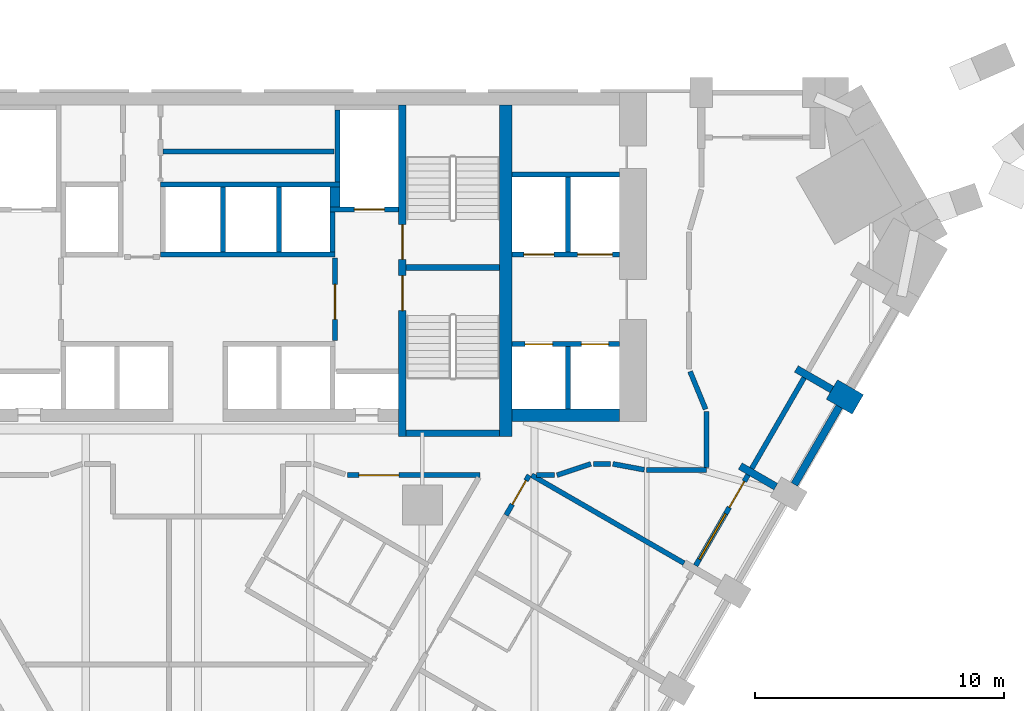
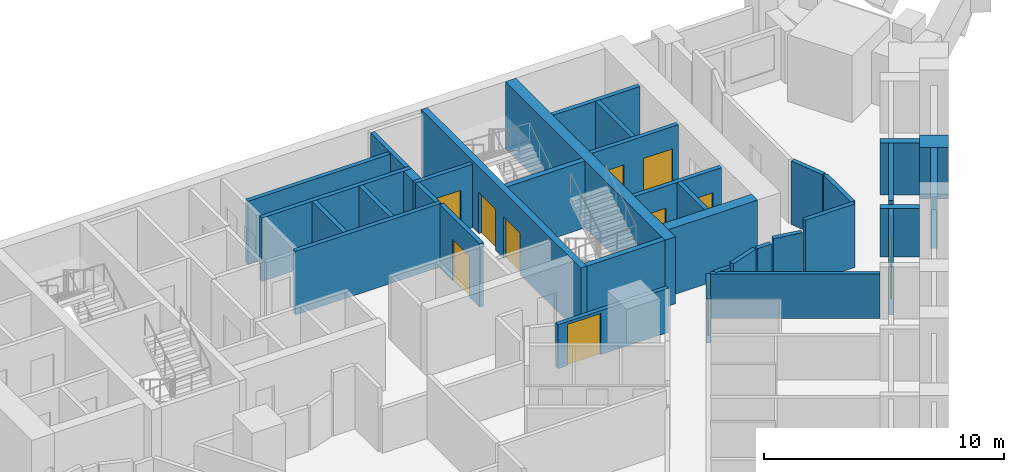
# One storey, part 9 of 12: 36 walls, 11 doors, 1 window, 12 openings.
"""IFC4 building model written with IfcOpenShell, lengths in metres."""

from ifc_helpers import new_model, si_unit, direction, frame, frame_2d, origin, place, context, subcontext, project, spatial, rectangle, extrude, material, layer, layer_set, type_object, element, fill, save


model = new_model("IFC4")

# Units and contexts
model_context = context("Model", 3, precision=1e-05, world=origin(), true_north=direction((0.0, 1.0)))
body_context = subcontext(model_context, "Body", "Model", "MODEL_VIEW")
ifc_project = project(units=[si_unit("LENGTHUNIT", "METRE"), si_unit("AREAUNIT", "SQUARE_METRE"), si_unit("VOLUMEUNIT", "CUBIC_METRE"), si_unit("PLANEANGLEUNIT", "RADIAN"), si_unit("MASSUNIT", "GRAM", prefix="KILO")], contexts=[model_context])

# Site, building, storey
site_placement = place(None, origin())
site = spatial("IfcSite", under=ifc_project, at=site_placement, CompositionType="ELEMENT")
building_placement = place(site_placement, origin())
building = spatial("IfcBuilding", under=site, at=building_placement, Name="Calabash Gate Tower", CompositionType="ELEMENT")
storey_placement = place(building_placement, frame((0.0, 0.0, 83.39990234375)))
storey = spatial("IfcBuildingStorey", under=building, at=storey_placement, Name="L17", CompositionType="ELEMENT", Elevation=83.39990234375)

# Walls
ifc_material_1 = material(Name="Terracotta brick masonry, exposed face", Category="masonry")
ifc_layer_1 = layer(ifc_material_1, 1.199951171875)
ifc_layer_set_1 = layer_set([ifc_layer_1], Name="Brick end wall 1200")
wall_type_1 = type_object("IfcWallType", Name="Brick end wall 1200", PredefinedType="SOLIDWALL", material=ifc_layer_set_1)
wall_1_placement = place(storey_placement, frame((26.467041015625, 6.537353515625, 0.0), z_axis=(0.0, 0.0, 1.0), x_axis=(-0.866043267704, 0.499969057507, 0.0)))
element("IfcWall", 1, at=wall_1_placement, inside=storey, type_object=wall_type_1, Name="Brick pier S04 SE2.9", PredefinedType="SOLIDWALL", context=body_context, shape_type="SweptSolid", body=[
    extrude(rectangle(XDim=1.19970703125, YDim=0.89990234375, at=frame_2d((0.599853515625, 0.0))), origin(), (0.0, 0.0, 1.0), 2.630126953125),
])
ifc_material_2 = material(Name="Terracotta brick masonry, exposed face", Category="masonry")
ifc_layer_2 = layer(ifc_material_2, 0.300048828125)
ifc_layer_set_2 = layer_set([ifc_layer_2], Name="Brick infill panel wall 300")
wall_type_2 = type_object("IfcWallType", Name="Brick infill panel wall 300", PredefinedType="SOLIDWALL", material=ifc_layer_set_2)
wall_2_placement = place(storey_placement, frame((23.92236328125, 3.329833984375, 0.0), z_axis=(0.0, 0.0, 1.0), x_axis=(0.500012057535, 0.866018442252, 0.0)))
element("IfcWall", 2, at=wall_2_placement, inside=storey, type_object=wall_type_2, Name="Brick panel S04 SE2.9", PredefinedType="SOLIDWALL", context=body_context, shape_type="SweptSolid", body=[
    extrude(rectangle(XDim=3.60009765625, YDim=0.300048828125, at=frame_2d((1.800048828125, 0.0))), origin(), (0.0, 0.0, 1.0), 2.630126953125),
])
ifc_material_3 = material(Name="Terracotta brick masonry, exposed face", Category="masonry")
ifc_layer_3 = layer(ifc_material_3, 0.300048828125)
ifc_layer_set_3 = layer_set([ifc_layer_3], Name="Brick loggia cheek wall 300")
wall_type_3 = type_object("IfcWallType", Name="Brick loggia cheek wall 300", PredefinedType="SOLIDWALL", material=ifc_layer_set_3)
wall_3_placement = place(storey_placement, frame((23.177490234375, 3.240234375, 0.0), z_axis=(0.0, 0.0, 1.0), x_axis=(-0.865966208357, 0.500102515474, 0.0)))
element("IfcWall", 3, at=wall_3_placement, inside=storey, type_object=wall_type_3, Name="Loggia cheek S04 SE2.8", PredefinedType="SOLIDWALL", context=body_context, shape_type="SweptSolid", body=[
    extrude(rectangle(XDim=1.649658203125, YDim=0.300048828125, at=frame_2d((0.82470703125, 0.0))), origin(), (0.0, 0.0, 1.0), 2.4501953125),
])
wall_4_placement = place(storey_placement, frame((25.427978515625, 7.13720703125, 0.0), z_axis=(0.0, 0.0, 1.0), x_axis=(-0.866040211805, 0.499974350878, 0.0)))
element("IfcWall", 4, at=wall_4_placement, inside=storey, type_object=wall_type_3, Name="Loggia cheek S04 SE2.9", PredefinedType="SOLIDWALL", context=body_context, shape_type="SweptSolid", body=[
    extrude(rectangle(XDim=1.64990234375, YDim=0.300048828125, at=frame_2d((0.824951171875, 0.0))), origin(), (0.0, 0.0, 1.0), 2.650146484375),
])
ifc_material_4 = material(Name="Concrete C80/95", Category="concrete")
ifc_layer_4 = layer(ifc_material_4, 0.25)
ifc_layer_set_4 = layer_set([ifc_layer_4], Name="Core wall 250 Concrete C80/95")
wall_type_4 = type_object("IfcWallType", Name="Core wall 250 Concrete C80/95", PredefinedType="SHEAR", material=ifc_layer_set_4)
for number, where, z_axis, x_axis, name in (
    (5, (8.35009765625, 12.027587890625, 0.0), (0.0, 0.0, 1.0), (1.0, 0.0, 0.0), "Core wall Z1-MIDE L17"),
    (6, (8.35009765625, 5.377685546875, 0.0), (0.0, 0.0, 1.0), (1.0, 0.0, 0.0), "Core wall Z1-SSE L17"),
):
    element("IfcWall", number, at=place(storey_placement, frame(where, z_axis=z_axis, x_axis=x_axis)), inside=storey, type_object=wall_type_4, Name=name, PredefinedType="SHEAR", context=body_context, shape_type="SweptSolid", body=[
        extrude(rectangle(XDim=3.75, YDim=0.25, at=frame_2d((1.875, 0.0))), origin(), (0.0, 0.0, 1.0), 3.400146484375),
    ])

# Wall, openings, doors
ifc_material_5 = material(Name="Concrete C80/95", Category="concrete")
ifc_layer_5 = layer(ifc_material_5, 0.300048828125)
ifc_layer_set_5 = layer_set([ifc_layer_5], Name="Core wall 300 Concrete C80/95")
wall_type_5 = type_object("IfcWallType", Name="Core wall 300 Concrete C80/95", PredefinedType="SHEAR", material=ifc_layer_set_5)
wall_5_placement = place(storey_placement, frame((8.199951171875, 5.252685546875, 0.0), z_axis=(0.0, 0.0, 1.0), x_axis=(0.0, 1.0, 0.0)))
wall_5 = element("IfcWall", 7, at=wall_5_placement, inside=storey, type_object=wall_type_5, Name="Core wall Z1-PARTE L17", PredefinedType="SHEAR", context=body_context, shape_type="SweptSolid", body=[
    extrude(rectangle(XDim=13.2998046875, YDim=0.300048828125, at=frame_2d((6.64990234375, 0.0))), origin(), (0.0, 0.0, 1.0), 3.400146484375),
])
opening_1_placement = place(wall_5_placement, frame((7.10009765625, 0.0, 0.0)))
opening_1 = element("IfcOpeningElement", 8, at=opening_1_placement, cuts=wall_5, Name="Opening H4-015", PredefinedType="OPENING", context=body_context, shape_type="SweptSolid", body=[
    extrude(rectangle(XDim=1.39990234375, YDim=2.10009765625, at=frame_2d((0.699951171875, 1.050048828125))), frame((0.0, 0.159912109375, 0.0), z_axis=(0.0, -1.0, 0.0), x_axis=(1.0, 0.0, 0.0)), (0.0, 0.0, 1.0), 0.320068359375),
])
opening_2_placement = place(wall_5_placement, frame((5.050048828125, 0.0, 0.0)))
opening_2 = element("IfcOpeningElement", 9, at=opening_2_placement, cuts=wall_5, Name="Opening H4-016", PredefinedType="OPENING", context=body_context, shape_type="SweptSolid", body=[
    extrude(rectangle(XDim=1.39990234375, YDim=2.10009765625, at=frame_2d((0.699951171875, 1.050048828125))), frame((0.0, 0.159912109375, 0.0), z_axis=(0.0, -1.0, 0.0), x_axis=(1.0, 0.0, 0.0)), (0.0, 0.0, 1.0), 0.320068359375),
])
ifc_material_6 = material(Name="Steel fire door set with fire-resisting glazing", Category="steel")
door_type_1 = type_object("IfcDoorType", Name="Fire door D05 1400x2100 FD90", OperationType="NOTDEFINED", PredefinedType="DOOR", material=ifc_material_6)
door_1_placement = place(opening_1_placement, origin())
door_1 = element("IfcDoor", 10, at=door_1_placement, inside=storey, type_object=door_type_1, Name="Exit stair door ST3", OperationType="SINGLE_SWING_RIGHT", OverallHeight=2.10009765625, OverallWidth=1.39990234375, PredefinedType="DOOR", context=body_context, shape_type="SweptSolid", body=[
    extrude(rectangle(XDim=1.39990234375, YDim=2.10009765625, at=frame_2d((0.699951171875, 1.050048828125))), frame((0.0, 0.02490234375, 0.0), z_axis=(0.0, -1.0, 0.0), x_axis=(1.0, 0.0, 0.0)), (0.0, 0.0, 1.0), 0.050048828125),
])
fill(opening_1, door_1)
door_2_placement = place(opening_2_placement, origin())
door_2 = element("IfcDoor", 11, at=door_2_placement, inside=storey, type_object=door_type_1, Name="Exit stair door ST4", OperationType="SINGLE_SWING_LEFT", OverallHeight=2.10009765625, OverallWidth=1.39990234375, PredefinedType="DOOR", context=body_context, shape_type="SweptSolid", body=[
    extrude(rectangle(XDim=1.39990234375, YDim=2.10009765625, at=frame_2d((0.699951171875, 1.050048828125))), frame((0.0, 0.02490234375, 0.0), z_axis=(0.0, -1.0, 0.0), x_axis=(1.0, 0.0, 0.0)), (0.0, 0.0, 1.0), 0.050048828125),
])
fill(opening_2, door_2)

# Walls
ifc_material_7 = material(Name="Concrete C80/95", Category="concrete")
ifc_layer_6 = layer(ifc_material_7, 0.5)
ifc_layer_set_6 = layer_set([ifc_layer_6], Name="Core wall 500 Concrete C80/95")
wall_type_6 = type_object("IfcWallType", Name="Core wall 500 Concrete C80/95", PredefinedType="SHEAR", material=ifc_layer_set_6)
wall_6_placement = place(storey_placement, frame((12.35009765625, 5.252685546875, 0.0), z_axis=(0.0, 0.0, 1.0), x_axis=(0.0, 1.0, 0.0)))
element("IfcWall", 12, at=wall_6_placement, inside=storey, type_object=wall_type_6, Name="Core wall Z1-COLE L17", PredefinedType="SHEAR", context=body_context, shape_type="SweptSolid", body=[
    extrude(rectangle(XDim=13.2998046875, YDim=0.5, at=frame_2d((6.64990234375, 0.0))), origin(), (0.0, 0.0, 1.0), 3.400146484375),
])
wall_7_placement = place(storey_placement, frame((12.60009765625, 6.1025390625, 0.0), z_axis=(0.0, 0.0, 1.0), x_axis=(1.0, 0.0, 0.0)))
element("IfcWall", 13, at=wall_7_placement, inside=storey, type_object=wall_type_6, Name="Core wall Z1-SE L17", PredefinedType="SHEAR", context=body_context, shape_type="SweptSolid", body=[
    extrude(rectangle(XDim=4.2998046875, YDim=0.5, at=frame_2d((2.14990234375, 0.0))), origin(), (0.0, 0.0, 1.0), 3.400146484375),
])
ifc_material_8 = material(Name="Gypsum board on steel studs, mineral wool", Category="steel")
ifc_layer_7 = layer(ifc_material_8, 0.199951171875)
ifc_layer_set_7 = layer_set([ifc_layer_7], Name="Partition 200 gypsum board EI 60")
wall_type_7 = type_object("IfcWallType", Name="Partition 200 gypsum board EI 60", PredefinedType="PARTITIONING", material=ifc_layer_set_7)
wall_8_placement = place(storey_placement, frame((13.38330078125, 3.699462890625, 0.0), z_axis=(0.0, 0.0, 1.0), x_axis=(0.866028421525, -0.499994773084, 0.0)))
element("IfcWall", 14, at=wall_8_placement, inside=storey, type_object=wall_type_7, Name="Partition", PredefinedType="PARTITIONING", context=body_context, shape_type="SweptSolid", body=[
    extrude(rectangle(XDim=7.06201171875, YDim=0.199951171875, at=frame_2d((3.531005859375, 0.0))), origin(), (0.0, 0.0, 1.0), 2.24169921875),
])

# Wall, opening, door
wall_9_placement = place(storey_placement, frame((6.0, 3.69970703125, 0.0), z_axis=(0.0, 0.0, 1.0), x_axis=(1.0, 0.0, 0.0)))
wall_9 = element("IfcWall", 15, at=wall_9_placement, inside=storey, type_object=wall_type_7, Name="Partition", PredefinedType="PARTITIONING", context=body_context, shape_type="SweptSolid", body=[
    extrude(rectangle(XDim=5.318603515625, YDim=0.199951171875, at=frame_2d((2.6591796875, 0.0))), origin(), (0.0, 0.0, 1.0), 2.24169921875),
])
opening_3_placement = place(wall_9_placement, frame((0.458740234375, 0.0, 0.0)))
opening_3 = element("IfcOpeningElement", 16, at=opening_3_placement, cuts=wall_9, Name="Opening 15-17-036", PredefinedType="OPENING", context=body_context, shape_type="SweptSolid", body=[
    extrude(rectangle(XDim=1.60009765625, YDim=2.10009765625, at=frame_2d((0.800048828125, 1.050048828125))), frame((0.0, 0.10986328125, 0.0), z_axis=(0.0, -1.0, 0.0), x_axis=(1.0, 0.0, 0.0)), (0.0, 0.0, 1.0), 0.219970703125),
])
ifc_material_9 = material(Name="Steel fire door set with fire-resisting glazing", Category="steel")
door_type_2 = type_object("IfcDoorType", Name="LD1 Lounge double door 1600x2100", OperationType="NOTDEFINED", PredefinedType="DOOR", material=ifc_material_9)
door_3_placement = place(opening_3_placement, origin())
door_3 = element("IfcDoor", 17, at=door_3_placement, inside=storey, type_object=door_type_2, Name="Lounge double door", OperationType="DOUBLE_DOOR_SINGLE_SWING", OverallHeight=2.10009765625, OverallWidth=1.60009765625, PredefinedType="DOOR", context=body_context, shape_type="SweptSolid", body=[
    extrude(rectangle(XDim=1.60009765625, YDim=2.10009765625, at=frame_2d((0.800048828125, 1.050048828125))), frame((0.0, 0.02490234375, 0.0), z_axis=(0.0, -1.0, 0.0), x_axis=(1.0, 0.0, 0.0)), (0.0, 0.0, 1.0), 0.050048828125),
])
fill(opening_3, door_3)

wall_10_placement = place(storey_placement, frame((12.358642578125, 2.0966796875, 0.0), z_axis=(0.0, 0.0, 1.0), x_axis=(0.499120619587, 0.866532519357, 0.0)))
wall_10 = element("IfcWall", 18, at=wall_10_placement, inside=storey, type_object=wall_type_7, Name="Partition", PredefinedType="PARTITIONING", context=body_context, shape_type="SweptSolid", body=[
    extrude(rectangle(XDim=1.849853515625, YDim=0.199951171875, at=frame_2d((0.9248046875, 0.0))), origin(), (0.0, 0.0, 1.0), 2.24169921875),
])
opening_4_placement = place(wall_10_placement, frame((0.499755859375, 0.0, 0.0)))
opening_4 = element("IfcOpeningElement", 19, at=opening_4_placement, cuts=wall_10, Name="Opening 15-17-025", PredefinedType="OPENING", context=body_context, shape_type="SweptSolid", body=[
    extrude(rectangle(XDim=1.10009765625, YDim=2.10009765625, at=frame_2d((0.550048828125, 1.050048828125))), frame((0.0, 0.10986328125, 0.0), z_axis=(0.0, -1.0, 0.0), x_axis=(1.0, 0.0, 0.0)), (0.0, 0.0, 1.0), 0.219970703125),
])
ifc_material_10 = material(Name="Steel fire door set with fire-resisting glazing", Category="steel")
door_type_3 = type_object("IfcDoorType", Name="GD2 Accessible guest room entrance door 1100x2100", OperationType="NOTDEFINED", PredefinedType="DOOR", material=ifc_material_10)
door_4_placement = place(opening_4_placement, origin())
door_4 = element("IfcDoor", 20, at=door_4_placement, inside=storey, type_object=door_type_3, Name="Accessible guest room entrance door", OperationType="SINGLE_SWING_LEFT", OverallHeight=2.10009765625, OverallWidth=1.10009765625, PredefinedType="DOOR", context=body_context, shape_type="SweptSolid", body=[
    extrude(rectangle(XDim=1.10009765625, YDim=2.10009765625, at=frame_2d((0.550048828125, 1.050048828125))), frame((0.0, 0.02490234375, 0.0), z_axis=(0.0, -1.0, 0.0), x_axis=(1.0, 0.0, 0.0)), (0.0, 0.0, 1.0), 0.050048828125),
])
fill(opening_4, door_4)

# Walls
wall_11_placement = place(storey_placement, frame((13.583251953125, 3.699462890625, 0.0), z_axis=(0.0, 0.0, 1.0), x_axis=(1.0, 0.0, 0.0)))
element("IfcWall", 21, at=wall_11_placement, inside=storey, type_object=wall_type_7, Name="Partition", PredefinedType="PARTITIONING", context=body_context, shape_type="SweptSolid", body=[
    extrude(rectangle(XDim=0.716796875, YDim=0.199951171875, at=frame_2d((0.3583984375, 0.0))), origin(), (0.0, 0.0, 1.0), 2.24169921875),
])
wall_12_placement = place(storey_placement, frame((14.400146484375, 3.699462890625, 0.0), z_axis=(0.0, 0.0, 1.0), x_axis=(0.948666237396, 0.316278943379, 0.0)))
element("IfcWall", 22, at=wall_12_placement, inside=storey, type_object=wall_type_7, Name="Partition", PredefinedType="PARTITIONING", context=body_context, shape_type="SweptSolid", body=[
    extrude(rectangle(XDim=1.43115234375, YDim=0.199951171875, at=frame_2d((0.715576171875, 0.0))), origin(), (0.0, 0.0, 1.0), 2.38427734375),
])
wall_13_placement = place(storey_placement, frame((18.0, 3.8994140625, 0.0), z_axis=(0.0, 0.0, 1.0), x_axis=(0.999999979311, 0.000203417408, 0.0)))
element("IfcWall", 23, at=wall_13_placement, inside=storey, type_object=wall_type_7, Name="Partition", PredefinedType="PARTITIONING", context=body_context, shape_type="SweptSolid", body=[
    extrude(rectangle(XDim=2.400390625, YDim=0.199951171875, at=frame_2d((1.2001953125, 0.0))), origin(), (0.0, 0.0, 1.0), 3.22998046875),
])
wall_14_placement = place(storey_placement, frame((20.400390625, 4.0, 0.0), z_axis=(0.0, 0.0, 1.0), x_axis=(0.0, 1.0, 0.0)))
element("IfcWall", 24, at=wall_14_placement, inside=storey, type_object=wall_type_7, Name="Partition", PredefinedType="PARTITIONING", context=body_context, shape_type="SweptSolid", body=[
    extrude(rectangle(XDim=2.252685546875, YDim=0.199951171875, at=frame_2d((1.12646484375, 0.0))), origin(), (0.0, 0.0, 1.0), 3.22998046875),
])
wall_15_placement = place(storey_placement, frame((15.85791015625, 4.152099609375, 0.0), z_axis=(0.0, 0.0, 1.0), x_axis=(1.0, 0.0, 0.0)))
element("IfcWall", 25, at=wall_15_placement, inside=storey, type_object=wall_type_7, Name="Partition", PredefinedType="PARTITIONING", context=body_context, shape_type="SweptSolid", body=[
    extrude(rectangle(XDim=0.684326171875, YDim=0.199951171875, at=frame_2d((0.34228515625, 0.0))), origin(), (0.0, 0.0, 1.0), 2.38427734375),
])
wall_16_placement = place(storey_placement, frame((16.642333984375, 4.152099609375, 0.0), z_axis=(0.0, 0.0, 1.0), x_axis=(0.983117293899, -0.182976464161, 0.0)))
element("IfcWall", 26, at=wall_16_placement, inside=storey, type_object=wall_type_7, Name="Partition", PredefinedType="PARTITIONING", context=body_context, shape_type="SweptSolid", body=[
    extrude(rectangle(XDim=1.281005859375, YDim=0.199951171875, at=frame_2d((0.640625, 0.0))), origin(), (0.0, 0.0, 1.0), 2.628173828125),
])
wall_17_placement = place(storey_placement, frame((19.738525390625, 7.860107421875, 0.0), z_axis=(0.0, 0.0, 1.0), x_axis=(0.380749805254, -0.924678098475, 0.0)))
element("IfcWall", 27, at=wall_17_placement, inside=storey, type_object=wall_type_7, Name="Partition", PredefinedType="PARTITIONING", context=body_context, shape_type="SweptSolid", body=[
    extrude(rectangle(XDim=1.63818359375, YDim=0.199951171875, at=frame_2d((0.819091796875, 0.0))), origin(), (0.0, 0.0, 1.0), 3.22998046875),
])
ifc_material_11 = material(Name="Concrete C40/50", Category="concrete")
ifc_layer_8 = layer(ifc_material_11, 0.199951171875)
ifc_layer_set_8 = layer_set([ifc_layer_8], Name="Shaft wall 200 Concrete C40/50")
wall_type_8 = type_object("IfcWallType", Name="Shaft wall 200 Concrete C40/50", PredefinedType="SOLIDWALL", material=ifc_layer_set_8)
wall_18_placement = place(storey_placement, frame((14.85009765625, 6.3525390625, 0.0), z_axis=(0.0, 0.0, 1.0), x_axis=(0.0, 1.0, 0.0)))
element("IfcWall", 28, at=wall_18_placement, inside=storey, type_object=wall_type_8, Name="Shaft wall", PredefinedType="SOLIDWALL", context=body_context, shape_type="SweptSolid", body=[
    extrude(rectangle(XDim=2.5, YDim=0.199951171875, at=frame_2d((1.25, 0.0))), origin(), (0.0, 0.0, 1.0), 3.22998046875),
])

# Wall, openings, doors
wall_19_placement = place(storey_placement, frame((12.60009765625, 8.95263671875, 0.0), z_axis=(0.0, 0.0, 1.0), x_axis=(1.0, 0.0, 0.0)))
wall_19 = element("IfcWall", 29, at=wall_19_placement, inside=storey, type_object=wall_type_8, Name="Shaft wall", PredefinedType="SOLIDWALL", context=body_context, shape_type="SweptSolid", body=[
    extrude(rectangle(XDim=4.2998046875, YDim=0.199951171875, at=frame_2d((2.14990234375, 0.0))), origin(), (0.0, 0.0, 1.0), 3.22998046875),
])
opening_5_placement = place(wall_19_placement, frame((0.52490234375, 0.0, 0.0)))
opening_5 = element("IfcOpeningElement", 30, at=opening_5_placement, cuts=wall_19, Name="Opening LD-LR5", PredefinedType="OPENING", context=body_context, shape_type="SweptSolid", body=[
    extrude(rectangle(XDim=1.10009765625, YDim=2.10009765625, at=frame_2d((0.550048828125, 1.050048828125))), frame((0.0, 0.10986328125, 0.0), z_axis=(0.0, -1.0, 0.0), x_axis=(1.0, 0.0, 0.0)), (0.0, 0.0, 1.0), 0.219970703125),
])
opening_6_placement = place(wall_19_placement, frame((2.77490234375, 0.0, 0.0)))
opening_6 = element("IfcOpeningElement", 31, at=opening_6_placement, cuts=wall_19, Name="Opening LD-LR6", PredefinedType="OPENING", context=body_context, shape_type="SweptSolid", body=[
    extrude(rectangle(XDim=1.10009765625, YDim=2.10009765625, at=frame_2d((0.550048828125, 1.050048828125))), frame((0.0, 0.10986328125, 0.0), z_axis=(0.0, -1.0, 0.0), x_axis=(1.0, 0.0, 0.0)), (0.0, 0.0, 1.0), 0.219970703125),
])
ifc_material_12 = material(Name="Stainless steel sliding door leaves", Category="steel")
door_type_4 = type_object("IfcDoorType", Name="Lift landing door LS1 1100x2100 FD90", OperationType="DOUBLE_DOOR_SLIDING", PredefinedType="DOOR", material=ifc_material_12)
door_5_placement = place(opening_5_placement, origin())
door_5 = element("IfcDoor", 32, at=door_5_placement, inside=storey, type_object=door_type_4, Name="Lift landing door LR5", OperationType="DOUBLE_DOOR_SLIDING", OverallHeight=2.10009765625, OverallWidth=1.10009765625, PredefinedType="DOOR", context=body_context, shape_type="SweptSolid", body=[
    extrude(rectangle(XDim=1.10009765625, YDim=2.10009765625, at=frame_2d((0.550048828125, 1.050048828125))), frame((0.0, 0.02490234375, 0.0), z_axis=(0.0, -1.0, 0.0), x_axis=(1.0, 0.0, 0.0)), (0.0, 0.0, 1.0), 0.050048828125),
])
fill(opening_5, door_5)
door_6_placement = place(opening_6_placement, origin())
door_6 = element("IfcDoor", 33, at=door_6_placement, inside=storey, type_object=door_type_4, Name="Lift landing door LR6", OperationType="DOUBLE_DOOR_SLIDING", OverallHeight=2.10009765625, OverallWidth=1.10009765625, PredefinedType="DOOR", context=body_context, shape_type="SweptSolid", body=[
    extrude(rectangle(XDim=1.10009765625, YDim=2.10009765625, at=frame_2d((0.550048828125, 1.050048828125))), frame((0.0, 0.02490234375, 0.0), z_axis=(0.0, -1.0, 0.0), x_axis=(1.0, 0.0, 0.0)), (0.0, 0.0, 1.0), 0.050048828125),
])
fill(opening_6, door_6)

# Wall, opening, door
wall_20_placement = place(storey_placement, frame((5.5, 9.1025390625, 0.0), z_axis=(0.0, 0.0, 1.0), x_axis=(0.0, 1.0, 0.0)))
wall_20 = element("IfcWall", 34, at=wall_20_placement, inside=storey, type_object=wall_type_8, Name="Shaft wall", PredefinedType="SOLIDWALL", context=body_context, shape_type="SweptSolid", body=[
    extrude(rectangle(XDim=3.300048828125, YDim=0.199951171875, at=frame_2d((1.64990234375, 0.0))), origin(), (0.0, 0.0, 1.0), 3.22998046875),
])
opening_7_placement = place(wall_20_placement, frame((0.85009765625, 0.0, 0.0)))
opening_7 = element("IfcOpeningElement", 35, at=opening_7_placement, cuts=wall_20, Name="Opening H4-006", PredefinedType="OPENING", context=body_context, shape_type="SweptSolid", body=[
    extrude(rectangle(XDim=1.39990234375, YDim=2.10009765625, at=frame_2d((0.699951171875, 1.050048828125))), frame((0.0, 0.10986328125, 0.0), z_axis=(0.0, -1.0, 0.0), x_axis=(1.0, 0.0, 0.0)), (0.0, 0.0, 1.0), 0.219970703125),
])
door_7_placement = place(opening_7_placement, origin())
door_7 = element("IfcDoor", 36, at=door_7_placement, inside=storey, type_object=door_type_1, Name="Firefighting Lobby E door", OperationType="SINGLE_SWING_LEFT", OverallHeight=2.10009765625, OverallWidth=1.39990234375, PredefinedType="DOOR", context=body_context, shape_type="SweptSolid", body=[
    extrude(rectangle(XDim=1.39990234375, YDim=2.10009765625, at=frame_2d((0.699951171875, 1.050048828125))), frame((0.0, 0.02490234375, 0.0), z_axis=(0.0, -1.0, 0.0), x_axis=(1.0, 0.0, 0.0)), (0.0, 0.0, 1.0), 0.050048828125),
])
fill(opening_7, door_7)

# Wall
wall_21_placement = place(storey_placement, frame((-1.5, 12.552490234375, 0.0), z_axis=(0.0, 0.0, 1.0), x_axis=(1.0, 0.0, 0.0)))
element("IfcWall", 37, at=wall_21_placement, inside=storey, type_object=wall_type_8, Name="Shaft wall", PredefinedType="SOLIDWALL", context=body_context, shape_type="SweptSolid", body=[
    extrude(rectangle(XDim=7.0, YDim=0.199951171875, at=frame_2d((3.5, 0.0))), origin(), (0.0, 0.0, 1.0), 3.22998046875),
])

# Wall, openings, doors
wall_22_placement = place(storey_placement, frame((12.60009765625, 12.552490234375, 0.0), z_axis=(0.0, 0.0, 1.0), x_axis=(1.0, 0.0, 0.0)))
wall_22 = element("IfcWall", 38, at=wall_22_placement, inside=storey, type_object=wall_type_8, Name="Shaft wall", PredefinedType="SOLIDWALL", context=body_context, shape_type="SweptSolid", body=[
    extrude(rectangle(XDim=4.2998046875, YDim=0.199951171875, at=frame_2d((2.14990234375, 0.0))), origin(), (0.0, 0.0, 1.0), 3.22998046875),
])
opening_8_placement = place(wall_22_placement, frame((0.47509765625, 0.0, 0.0)))
opening_8 = element("IfcOpeningElement", 39, at=opening_8_placement, cuts=wall_22, Name="Opening LD-SL1", PredefinedType="OPENING", context=body_context, shape_type="SweptSolid", body=[
    extrude(rectangle(XDim=1.199951171875, YDim=2.10009765625, at=frame_2d((0.60009765625, 1.050048828125))), frame((0.0, 0.10986328125, 0.0), z_axis=(0.0, -1.0, 0.0), x_axis=(1.0, 0.0, 0.0)), (0.0, 0.0, 1.0), 0.219970703125),
])
opening_9_placement = place(wall_22_placement, frame((2.625, 0.0, 0.0)))
opening_9 = element("IfcOpeningElement", 40, at=opening_9_placement, cuts=wall_22, Name="Opening LD-GL1", PredefinedType="OPENING", context=body_context, shape_type="SweptSolid", body=[
    extrude(rectangle(XDim=1.39990234375, YDim=2.10009765625, at=frame_2d((0.699951171875, 1.050048828125))), frame((0.0, 0.10986328125, 0.0), z_axis=(0.0, -1.0, 0.0), x_axis=(1.0, 0.0, 0.0)), (0.0, 0.0, 1.0), 0.219970703125),
])
ifc_material_13 = material(Name="Stainless steel sliding door leaves", Category="steel")
door_type_5 = type_object("IfcDoorType", Name="Lift landing door LS3 1200x2100 FD90", OperationType="DOUBLE_DOOR_SLIDING", PredefinedType="DOOR", material=ifc_material_13)
door_8_placement = place(opening_8_placement, origin())
door_8 = element("IfcDoor", 41, at=door_8_placement, inside=storey, type_object=door_type_5, Name="Lift landing door SL1", OperationType="DOUBLE_DOOR_SLIDING", OverallHeight=2.10009765625, OverallWidth=1.199951171875, PredefinedType="DOOR", context=body_context, shape_type="SweptSolid", body=[
    extrude(rectangle(XDim=1.199951171875, YDim=2.10009765625, at=frame_2d((0.60009765625, 1.050048828125))), frame((0.0, 0.02490234375, 0.0), z_axis=(0.0, -1.0, 0.0), x_axis=(1.0, 0.0, 0.0)), (0.0, 0.0, 1.0), 0.050048828125),
])
fill(opening_8, door_8)
ifc_material_14 = material(Name="Stainless steel sliding door leaves", Category="steel")
door_type_6 = type_object("IfcDoorType", Name="Lift landing door LS4 1400x2100 FD90", OperationType="DOUBLE_DOOR_SLIDING", PredefinedType="DOOR", material=ifc_material_14)
door_9_placement = place(opening_9_placement, origin())
door_9 = element("IfcDoor", 42, at=door_9_placement, inside=storey, type_object=door_type_6, Name="Lift landing door GL1", OperationType="DOUBLE_DOOR_SLIDING", OverallHeight=2.10009765625, OverallWidth=1.39990234375, PredefinedType="DOOR", context=body_context, shape_type="SweptSolid", body=[
    extrude(rectangle(XDim=1.39990234375, YDim=2.10009765625, at=frame_2d((0.699951171875, 1.050048828125))), frame((0.0, 0.02490234375, 0.0), z_axis=(0.0, -1.0, 0.0), x_axis=(1.0, 0.0, 0.0)), (0.0, 0.0, 1.0), 0.050048828125),
])
fill(opening_9, door_9)

# Walls
for number, where, z_axis, x_axis, name in (
    (43, (1.0, 12.652587890625, 0.0), (0.0, 0.0, 1.0), (0.0, 1.0, 0.0), "Shaft wall"),
    (44, (3.25, 12.652587890625, 0.0), (0.0, 0.0, 1.0), (0.0, 1.0, 0.0), "Shaft wall"),
):
    element("IfcWall", number, at=place(storey_placement, frame(where, z_axis=z_axis, x_axis=x_axis)), inside=storey, type_object=wall_type_8, Name=name, PredefinedType="SOLIDWALL", context=body_context, shape_type="SweptSolid", body=[
        extrude(rectangle(XDim=2.60009765625, YDim=0.199951171875, at=frame_2d((1.300048828125, 0.0))), origin(), (0.0, 0.0, 1.0), 3.22998046875),
    ])
wall_23_placement = place(storey_placement, frame((5.39990234375, 12.652587890625, 0.0), z_axis=(0.0, 0.0, 1.0), x_axis=(0.0, 1.0, 0.0)))
element("IfcWall", 45, at=wall_23_placement, inside=storey, type_object=wall_type_8, Name="Shaft wall", PredefinedType="SOLIDWALL", context=body_context, shape_type="SweptSolid", body=[
    extrude(rectangle(XDim=1.60009765625, YDim=0.199951171875, at=frame_2d((0.800048828125, 0.0))), origin(), (0.0, 0.0, 1.0), 3.22998046875),
])
wall_24_placement = place(storey_placement, frame((14.85009765625, 12.652587890625, 0.0), z_axis=(0.0, 0.0, 1.0), x_axis=(0.0, 1.0, 0.0)))
element("IfcWall", 46, at=wall_24_placement, inside=storey, type_object=wall_type_8, Name="Shaft wall", PredefinedType="SOLIDWALL", context=body_context, shape_type="SweptSolid", body=[
    extrude(rectangle(XDim=3.0, YDim=0.199951171875, at=frame_2d((1.5, 0.0))), origin(), (0.0, 0.0, 1.0), 3.22998046875),
])

# Wall, opening, door
wall_25_placement = place(storey_placement, frame((5.300048828125, 14.3525390625, 0.0), z_axis=(0.0, 0.0, 1.0), x_axis=(1.0, 0.0, 0.0)))
wall_25 = element("IfcWall", 47, at=wall_25_placement, inside=storey, type_object=wall_type_8, Name="Shaft wall", PredefinedType="SOLIDWALL", context=body_context, shape_type="SweptSolid", body=[
    extrude(rectangle(XDim=2.75, YDim=0.199951171875, at=frame_2d((1.375, 0.0))), origin(), (0.0, 0.0, 1.0), 3.22998046875),
])
opening_10_placement = place(wall_25_placement, frame((0.97509765625, 0.0, 0.0)))
opening_10 = element("IfcOpeningElement", 48, at=opening_10_placement, cuts=wall_25, Name="Opening LD-FF2", PredefinedType="OPENING", context=body_context, shape_type="SweptSolid", body=[
    extrude(rectangle(XDim=1.199951171875, YDim=2.10009765625, at=frame_2d((0.60009765625, 1.050048828125))), frame((0.0, 0.10986328125, 0.0), z_axis=(0.0, -1.0, 0.0), x_axis=(1.0, 0.0, 0.0)), (0.0, 0.0, 1.0), 0.219970703125),
])
door_10_placement = place(opening_10_placement, origin())
door_10 = element("IfcDoor", 49, at=door_10_placement, inside=storey, type_object=door_type_5, Name="Lift landing door FF2", OperationType="DOUBLE_DOOR_SLIDING", OverallHeight=2.10009765625, OverallWidth=1.199951171875, PredefinedType="DOOR", context=body_context, shape_type="SweptSolid", body=[
    extrude(rectangle(XDim=1.199951171875, YDim=2.10009765625, at=frame_2d((0.60009765625, 1.050048828125))), frame((0.0, 0.02490234375, 0.0), z_axis=(0.0, -1.0, 0.0), x_axis=(1.0, 0.0, 0.0)), (0.0, 0.0, 1.0), 0.050048828125),
])
fill(opening_10, door_10)

# Walls
wall_26_placement = place(storey_placement, frame((5.5, 14.45263671875, 0.0), z_axis=(0.0, 0.0, 1.0), x_axis=(0.0, 1.0, 0.0)))
element("IfcWall", 50, at=wall_26_placement, inside=storey, type_object=wall_type_8, Name="Shaft wall", PredefinedType="SOLIDWALL", context=body_context, shape_type="SweptSolid", body=[
    extrude(rectangle(XDim=0.800048828125, YDim=0.39990234375, at=frame_2d((0.39990234375, 0.0))), origin(), (0.0, 0.0, 1.0), 3.22998046875),
])
wall_27_placement = place(storey_placement, frame((-1.5, 15.3525390625, 0.0), z_axis=(0.0, 0.0, 1.0), x_axis=(1.0, 0.0, 0.0)))
element("IfcWall", 51, at=wall_27_placement, inside=storey, type_object=wall_type_8, Name="Shaft wall", PredefinedType="SOLIDWALL", context=body_context, shape_type="SweptSolid", body=[
    extrude(rectangle(XDim=7.199951171875, YDim=0.199951171875, at=frame_2d((3.60009765625, 0.0))), origin(), (0.0, 0.0, 1.0), 3.22998046875),
])
wall_28_placement = place(storey_placement, frame((5.60009765625, 15.45263671875, 0.0), z_axis=(0.0, 0.0, 1.0), x_axis=(0.0, 1.0, 0.0)))
element("IfcWall", 52, at=wall_28_placement, inside=storey, type_object=wall_type_8, Name="Shaft wall", PredefinedType="SOLIDWALL", context=body_context, shape_type="SweptSolid", body=[
    extrude(rectangle(XDim=2.89990234375, YDim=0.199951171875, at=frame_2d((1.449951171875, 0.0))), origin(), (0.0, 0.0, 1.0), 3.22998046875),
])
wall_29_placement = place(storey_placement, frame((12.60009765625, 15.752685546875, 0.0), z_axis=(0.0, 0.0, 1.0), x_axis=(1.0, 0.0, 0.0)))
element("IfcWall", 53, at=wall_29_placement, inside=storey, type_object=wall_type_8, Name="Shaft wall", PredefinedType="SOLIDWALL", context=body_context, shape_type="SweptSolid", body=[
    extrude(rectangle(XDim=4.2998046875, YDim=0.199951171875, at=frame_2d((2.14990234375, 0.0))), origin(), (0.0, 0.0, 1.0), 3.22998046875),
])
wall_30_placement = place(storey_placement, frame((-1.39990234375, 16.692626953125, 0.0), z_axis=(0.0, 0.0, 1.0), x_axis=(1.0, 0.0, 0.0)))
element("IfcWall", 54, at=wall_30_placement, inside=storey, type_object=wall_type_8, Name="Shaft wall", PredefinedType="SOLIDWALL", context=body_context, shape_type="SweptSolid", body=[
    extrude(rectangle(XDim=6.849853515625, YDim=0.199951171875, at=frame_2d((3.4248046875, 0.0))), origin(), (0.0, 0.0, 1.0), 3.22998046875),
])

# Wall, openings, door, window
ifc_material_15 = material(Name="Aluminium framed window wall with insulated spandrel", Category="aluminium")
ifc_layer_9 = layer(ifc_material_15, 0.199951171875)
ifc_layer_set_9 = layer_set([ifc_layer_9], Name="Window wall 200")
wall_type_9 = type_object("IfcWallType", Name="Window wall 200", PredefinedType="ELEMENTEDWALL", material=ifc_layer_set_9)
wall_31_placement = place(storey_placement, frame((19.963623046875, 0.072998046875, 0.0), z_axis=(0.0, 0.0, 1.0), x_axis=(0.500027713859, 0.866009402589, 0.0)))
wall_31 = element("IfcWall", 55, at=wall_31_placement, inside=storey, type_object=wall_type_9, Name="Window wall S04 SE2.8", PredefinedType="ELEMENTEDWALL", context=body_context, shape_type="SweptSolid", body=[
    extrude(rectangle(XDim=4.199951171875, YDim=0.199951171875, at=frame_2d((2.10009765625, 0.0))), origin(), (0.0, 0.0, 1.0), 2.4501953125),
])
opening_11_placement = place(wall_31_placement, frame((0.300048828125, 0.0, 0.60009765625)))
opening_11 = element("IfcOpeningElement", 56, at=opening_11_placement, cuts=wall_31, Name="Opening HW1L-1750", PredefinedType="OPENING", context=body_context, shape_type="SweptSolid", body=[
    extrude(rectangle(XDim=2.10009765625, YDim=1.75, at=frame_2d((1.050048828125, 0.875))), frame((0.0, 0.10986328125, 0.0), z_axis=(0.0, -1.0, 0.0), x_axis=(1.0, 0.0, 0.0)), (0.0, 0.0, 1.0), 0.219970703125),
])
opening_12_placement = place(wall_31_placement, frame((2.699951171875, 0.0, 0.0)))
opening_12 = element("IfcOpeningElement", 57, at=opening_12_placement, cuts=wall_31, Name="Opening H4-025", PredefinedType="OPENING", context=body_context, shape_type="SweptSolid", body=[
    extrude(rectangle(XDim=1.199951171875, YDim=2.35009765625, at=frame_2d((0.60009765625, 1.175048828125))), frame((0.0, 0.10986328125, 0.0), z_axis=(0.0, -1.0, 0.0), x_axis=(1.0, 0.0, 0.0)), (0.0, 0.0, 1.0), 0.219970703125),
])
ifc_material_16 = material(Name="Anodised aluminium frame, bronze finish, impact-rated laminated clear glazing", Category="aluminium")
door_type_7 = type_object("IfcDoorType", Name="Loggia door DH1L-2350 1200x2350", OperationType="SLIDING_TO_LEFT", PredefinedType="DOOR", material=ifc_material_16)
door_11_placement = place(opening_12_placement, origin())
door_11 = element("IfcDoor", 58, at=door_11_placement, inside=storey, type_object=door_type_7, Name="Loggia door S04 SE2.8", OperationType="SINGLE_SWING_LEFT", OverallHeight=2.35009765625, OverallWidth=1.199951171875, PredefinedType="DOOR", context=body_context, shape_type="SweptSolid", body=[
    extrude(rectangle(XDim=1.199951171875, YDim=2.35009765625, at=frame_2d((0.60009765625, 1.175048828125))), frame((0.0, 0.02490234375, 0.0), z_axis=(0.0, -1.0, 0.0), x_axis=(1.0, 0.0, 0.0)), (0.0, 0.0, 1.0), 0.050048828125),
])
fill(opening_12, door_11)
ifc_material_17 = material(Name="Anodised aluminium frame, bronze finish, impact-rated laminated clear glazing", Category="aluminium")
window_type = type_object("IfcWindowType", Name="Window HW1L 2100x1750", PartitioningType="DOUBLE_PANEL_VERTICAL", PredefinedType="WINDOW", material=ifc_material_17)
window_placement = place(opening_11_placement, origin())
window = element("IfcWindow", 59, at=window_placement, inside=storey, type_object=window_type, Name="Window HW1 S04 SE2.8", OverallHeight=1.75, OverallWidth=2.10009765625, PartitioningType="SINGLE_PANEL", PredefinedType="WINDOW", context=body_context, shape_type="SweptSolid", body=[
    extrude(rectangle(XDim=2.10009765625, YDim=1.75, at=frame_2d((1.050048828125, 0.875))), frame((0.0, 0.030029296875, 0.0), z_axis=(0.0, -1.0, 0.0), x_axis=(1.0, 0.0, 0.0)), (0.0, 0.0, 1.0), 0.06005859375),
])
fill(opening_11, window)

# Wall
wall_32_placement = place(storey_placement, frame((22.213623046875, 3.969970703125, 0.0), z_axis=(0.0, 0.0, 1.0), x_axis=(0.500002543286, 0.866023935413, 0.0)))
element("IfcWall", 60, at=wall_32_placement, inside=storey, type_object=wall_type_9, Name="Window wall S04 SE2.9", PredefinedType="ELEMENTEDWALL", context=body_context, shape_type="SweptSolid", body=[
    extrude(rectangle(XDim=4.2001953125, YDim=0.199951171875, at=frame_2d((2.10009765625, 0.0))), origin(), (0.0, 0.0, 1.0), 2.650146484375),
])

save(model, "model.ifc")
